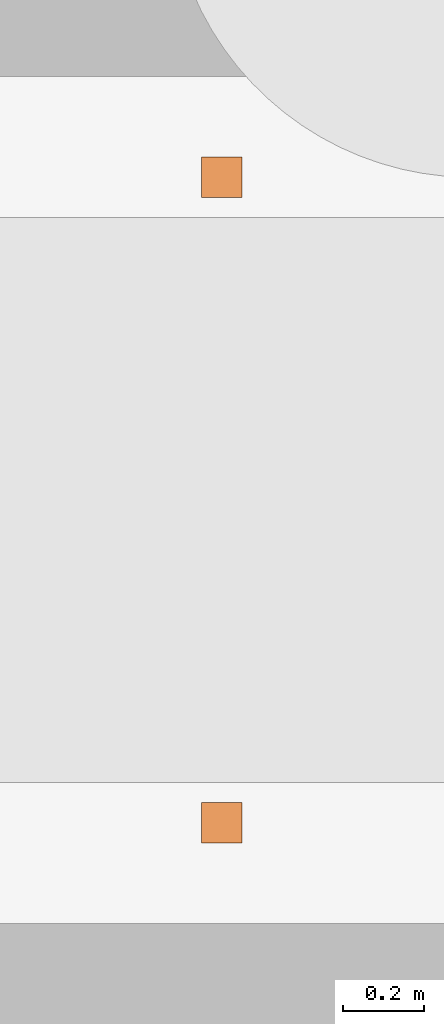
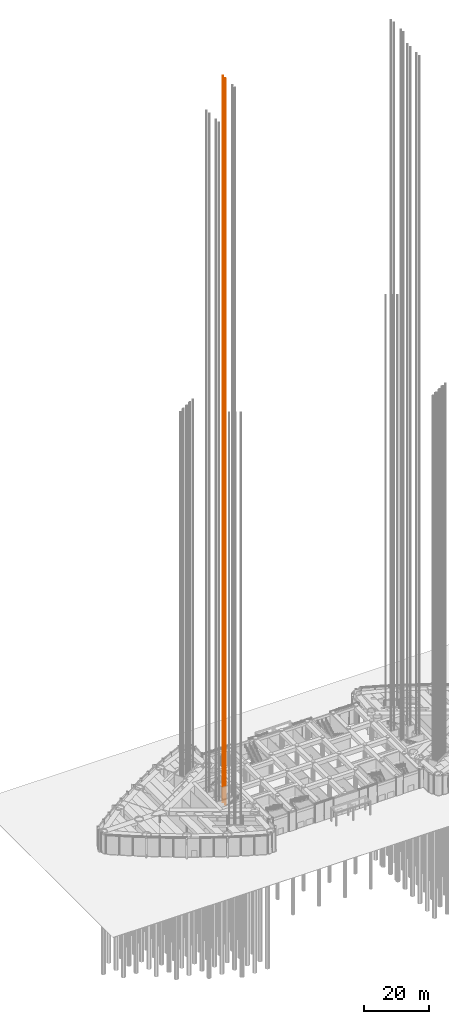
# One storey, part 35 of 43: 1 proxy.
"""IFC4 building model written with IfcOpenShell, lengths in metres."""

from ifc_helpers import new_model, si_unit, direction, frame, origin, origin_2d, place, context, subcontext, project, spatial, rectangle, extrude, material, type_object, element, save


model = new_model("IFC4")

# Units and contexts
model_context = context("Model", 3, precision=1e-05, world=origin(), true_north=direction((0.0, 1.0)))
body_context = subcontext(model_context, "Body", "Model", "MODEL_VIEW")
ifc_project = project(units=[si_unit("LENGTHUNIT", "METRE"), si_unit("AREAUNIT", "SQUARE_METRE"), si_unit("VOLUMEUNIT", "CUBIC_METRE"), si_unit("PLANEANGLEUNIT", "RADIAN"), si_unit("MASSUNIT", "GRAM", prefix="KILO")], contexts=[model_context])

# Site, building, storey
site_placement = place(None, origin())
site = spatial("IfcSite", under=ifc_project, at=site_placement, CompositionType="ELEMENT")
building_placement = place(site_placement, origin())
building = spatial("IfcBuilding", under=site, at=building_placement, Name="Lancet Gate Hotel", CompositionType="ELEMENT")
storey_placement = place(building_placement, origin())
storey = spatial("IfcBuildingStorey", under=building, at=storey_placement, Name="L00", CompositionType="ELEMENT", Elevation=0.0)

# Proxy
ifc_material = material(Name="Steel S355", Category="steel")
building_element_proxy_type = type_object("IfcBuildingElementProxyType", Name="Lift guide rails", PredefinedType="USERDEFINED", material=ifc_material)
proxy_placement = place(storey_placement, frame((-29.75, 2.949951171875, 0.0), z_axis=(0.0, 0.0, 1.0), x_axis=(1.0, 0.0, 0.0)))
element("IfcBuildingElementProxy", 1, at=proxy_placement, inside=storey, type_object=building_element_proxy_type, Name="T1-SL1 guide rails", ObjectType="LIFT GUIDE RAILS", PredefinedType="USERDEFINED", context=body_context, shape_type="SweptSolid", body=[
    extrude(rectangle(XDim=0.1, YDim=0.1, at=origin_2d()), frame((0.0, -0.800048828125, 0.0)), (0.0, 0.0, 1.0), 271.300048828125),
    extrude(rectangle(XDim=0.1, YDim=0.1, at=origin_2d()), frame((0.0, 0.800048828125, 0.0)), (0.0, 0.0, 1.0), 271.300048828125),
])

save(model, "model.ifc")
